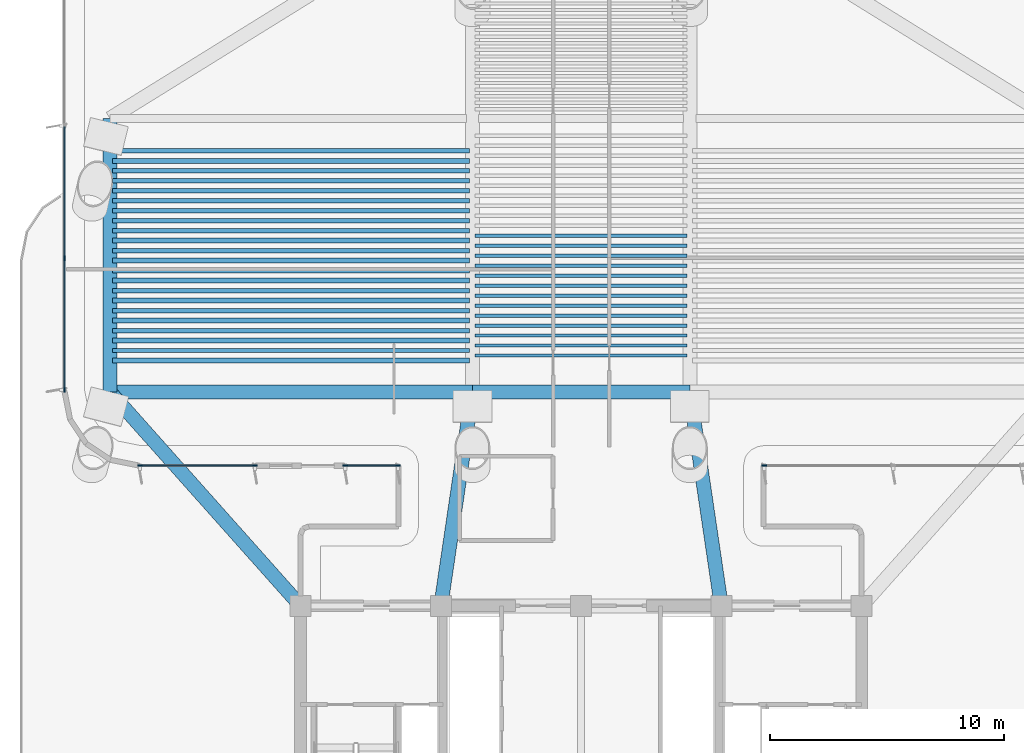
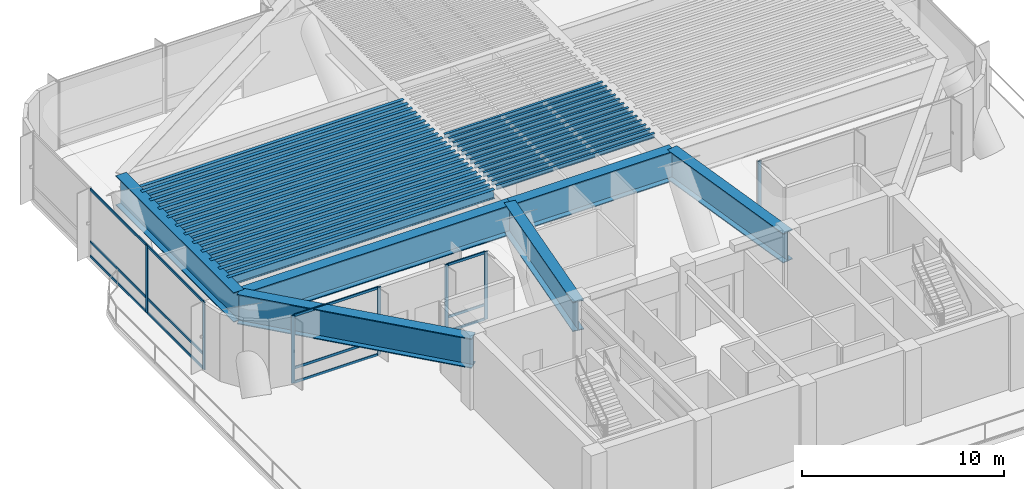
# One storey, part 2 of 14: 41 beams, 19 members, 4 elements without a shape of their own.
"""IFC4 building model written with IfcOpenShell, lengths in metres."""

from ifc_helpers import new_model, si_unit, direction, frame, origin, origin_2d, place, context, subcontext, project, spatial, rectangle, i_section, extrude, source, transform, mapped, material, layer, layer_set, material_profile, profile_set, type_object, element, aggregate, save


model = new_model("IFC4")

# Units and contexts
model_context = context("Model", 3, precision=1e-05, world=origin(), true_north=direction((0.0, 1.0)))
body_context = subcontext(model_context, "Body", "Model", "MODEL_VIEW")
ifc_project = project(units=[si_unit("LENGTHUNIT", "METRE"), si_unit("AREAUNIT", "SQUARE_METRE"), si_unit("VOLUMEUNIT", "CUBIC_METRE"), si_unit("PLANEANGLEUNIT", "RADIAN"), si_unit("MASSUNIT", "GRAM", prefix="KILO")], contexts=[model_context])

# Site, building, storey
site_placement = place(None, origin())
site = spatial("IfcSite", under=ifc_project, at=site_placement, CompositionType="ELEMENT")
building_placement = place(site_placement, origin())
building = spatial("IfcBuilding", under=site, at=building_placement, Name="Brelvock Crest Care Tower", CompositionType="ELEMENT")
storey_placement = place(building_placement, frame((0.0, 0.0, 85.320068359375)))
storey = spatial("IfcBuildingStorey", under=building, at=storey_placement, Name="L21", CompositionType="ELEMENT", Elevation=85.320068359375)

# Beams
ifc_material_1 = material(Name="Steel Grade 350", Category="steel")
ifc_material_profile_1 = material_profile(ifc_material_1, i_section(OverallWidth=0.60009765625, OverallDepth=1.800048828125, WebThickness=0.028076171875, FlangeThickness=0.052001953125, at=origin_2d()), Name="1800TG740")
ifc_profile_set_1 = profile_set([ifc_material_profile_1], Name="Steel Grade 350")
beam_type_1 = type_object("IfcBeamType", Name="BM-TG1", PredefinedType="USERDEFINED", material=ifc_profile_set_1)
shared_shape_1 = source(origin(), body_context, "Body", "SweptSolid", [
    extrude(i_section(OverallWidth=0.60009765625, OverallDepth=1.800048828125, WebThickness=0.028076171875, FlangeThickness=0.052001953125, at=origin_2d()), origin(), (0.0, 0.0, 1.0), 9.2998046875),
])
beam_1_placement = place(storey_placement, frame((31.35009765625, 27.14990234375, 3.19189453125), z_axis=(1.0, 0.0, 0.0), x_axis=(0.0, 1.0, 0.0)))
element("IfcBeam", 1, at=beam_1_placement, inside=storey, type_object=beam_type_1, Name="BM-TWR-L21-05", ObjectType="GIRDER", PredefinedType="USERDEFINED", context=body_context, shape_type="MappedRepresentation", body=[
    mapped(shared_shape_1, transform((0.0, 0.0, 0.0), x_axis=(1.0, 0.0, 0.0), y_axis=(0.0, 1.0, 0.0), z_axis=(0.0, 0.0, 1.0), scale=1.0)),
])
ifc_material_profile_2 = material_profile(ifc_material_1, i_section(OverallWidth=0.14599609375, OverallDepth=0.256103515625, WebThickness=0.00634765625, FlangeThickness=0.010986328125, FilletRadius=0.0087890625, at=origin_2d()), Name="250UB37.3")
ifc_profile_set_2 = profile_set([ifc_material_profile_2], Name="Steel Grade 350")
beam_type_2 = type_object("IfcBeamType", Name="BM-J3", PredefinedType="JOIST", material=ifc_profile_set_2)
shared_shape_2 = source(origin(), body_context, "Body", "SweptSolid", [
    extrude(i_section(OverallWidth=0.14599609375, OverallDepth=0.256103515625, WebThickness=0.00634765625, FlangeThickness=0.010986328125, FilletRadius=0.0087890625, at=origin_2d()), origin(), (0.0, 0.0, 1.0), 9.06982421875),
])
for number, where, z_axis, x_axis, name in (
    (2, (31.465087890625, 28.708984375, 3.9638671875), (1.0, 0.0, 0.0), (0.0, 1.0, 0.0), "BM-JH-L21-3"),
    (3, (31.465087890625, 29.135986328125, 3.9638671875), (1.0, 0.0, 0.0), (0.0, 1.0, 0.0), "BM-JH-L21-4"),
    (4, (31.465087890625, 29.56298828125, 3.9638671875), (1.0, 0.0, 0.0), (0.0, 1.0, 0.0), "BM-JH-L21-5"),
    (5, (31.465087890625, 29.990234375, 3.9638671875), (1.0, 0.0, 0.0), (0.0, 1.0, 0.0), "BM-JH-L21-6"),
    (6, (31.465087890625, 30.417236328125, 3.9638671875), (1.0, 0.0, 0.0), (0.0, 1.0, 0.0), "BM-JH-L21-7"),
    (7, (31.465087890625, 30.84423828125, 3.9638671875), (1.0, 0.0, 0.0), (0.0, 1.0, 0.0), "BM-JH-L21-8"),
    (8, (31.465087890625, 31.271240234375, 3.9638671875), (1.0, 0.0, 0.0), (0.0, 1.0, 0.0), "BM-JH-L21-9"),
    (9, (31.465087890625, 31.698486328125, 3.9638671875), (1.0, 0.0, 0.0), (0.0, 1.0, 0.0), "BM-JH-L21-10"),
    (10, (31.465087890625, 32.12548828125, 3.9638671875), (1.0, 0.0, 0.0), (0.0, 1.0, 0.0), "BM-JH-L21-11"),
    (11, (31.465087890625, 32.552490234375, 3.9638671875), (1.0, 0.0, 0.0), (0.0, 1.0, 0.0), "BM-JH-L21-12"),
    (12, (31.465087890625, 32.9794921875, 3.9638671875), (1.0, 0.0, 0.0), (0.0, 1.0, 0.0), "BM-JH-L21-13"),
    (13, (31.465087890625, 33.406494140625, 3.9638671875), (1.0, 0.0, 0.0), (0.0, 1.0, 0.0), "BM-JH-L21-14"),
    (14, (31.465087890625, 33.83349609375, 3.9638671875), (1.0, 0.0, 0.0), (0.0, 1.0, 0.0), "BM-JH-L21-15"),
):
    element("IfcBeam", number, at=place(storey_placement, frame(where, z_axis=z_axis, x_axis=x_axis)), inside=storey, type_object=beam_type_2, Name=name, PredefinedType="JOIST", context=body_context, shape_type="MappedRepresentation", body=[
        mapped(shared_shape_2, transform((0.0, 0.0, 0.0), x_axis=(1.0, 0.0, 0.0), y_axis=(0.0, 1.0, 0.0), z_axis=(0.0, 0.0, 1.0), scale=1.0)),
    ])
shared_shape_3 = source(origin(), body_context, "Body", "SweptSolid", [
    extrude(i_section(OverallWidth=0.60009765625, OverallDepth=1.800048828125, WebThickness=0.028076171875, FlangeThickness=0.052001953125, at=origin_2d()), origin(), (0.0, 0.0, 1.0), 11.7001953125),
])
beam_2_placement = place(storey_placement, frame((15.85009765625, 27.14990234375, 3.19189453125), z_axis=(0.0, 1.0, 0.0), x_axis=(-1.0, 0.0, 0.0)))
element("IfcBeam", 15, at=beam_2_placement, inside=storey, type_object=beam_type_1, Name="BM-TWR-L21-01", ObjectType="GIRDER", PredefinedType="USERDEFINED", context=body_context, shape_type="MappedRepresentation", body=[
    mapped(shared_shape_3, transform((0.0, 0.0, 0.0), x_axis=(1.0, 0.0, 0.0), y_axis=(0.0, 1.0, 0.0), z_axis=(0.0, 0.0, 1.0), scale=1.0)),
])
shared_shape_4 = source(origin(), body_context, "Body", "SweptSolid", [
    extrude(i_section(OverallWidth=0.60009765625, OverallDepth=1.800048828125, WebThickness=0.028076171875, FlangeThickness=0.052001953125, at=origin_2d()), origin(), (0.0, 0.0, 1.0), 15.5),
])
beam_3_placement = place(storey_placement, frame((15.85009765625, 27.14990234375, 3.19189453125), z_axis=(1.0, 0.0, 0.0), x_axis=(0.0, 1.0, 0.0)))
element("IfcBeam", 16, at=beam_3_placement, inside=storey, type_object=beam_type_1, Name="BM-TWR-L21-03", ObjectType="GIRDER", PredefinedType="USERDEFINED", context=body_context, shape_type="MappedRepresentation", body=[
    mapped(shared_shape_4, transform((0.0, 0.0, 0.0), x_axis=(1.0, 0.0, 0.0), y_axis=(0.0, 1.0, 0.0), z_axis=(0.0, 0.0, 1.0), scale=1.0)),
])
shared_shape_5 = source(origin(), body_context, "Body", "SweptSolid", [
    extrude(i_section(OverallWidth=0.60009765625, OverallDepth=1.800048828125, WebThickness=0.028076171875, FlangeThickness=0.052001953125, at=origin_2d()), origin(), (0.0, 0.0, 1.0), 9.2490234375),
])
for number, where, z_axis, x_axis, name in (
    (17, (30.0, 18.0, 3.19189453125), (0.145972731602, 0.989288613918, 0.0), (-0.989288613918, 0.145972731602, 0.0), "BM-THRW-L21"),
    (18, (42.0, 18.0, 3.19189453125), (-0.145972731602, 0.989288613918, 0.0), (-0.989288613918, -0.145972731602, 0.0), "BM-THRE-L21"),
):
    element("IfcBeam", number, at=place(storey_placement, frame(where, z_axis=z_axis, x_axis=x_axis)), inside=storey, type_object=beam_type_1, Name=name, ObjectType="GIRDER", PredefinedType="USERDEFINED", context=body_context, shape_type="MappedRepresentation", body=[
        mapped(shared_shape_5, transform((0.0, 0.0, 0.0), x_axis=(1.0, 0.0, 0.0), y_axis=(0.0, 1.0, 0.0), z_axis=(0.0, 0.0, 1.0), scale=1.0)),
    ])
shared_shape_6 = source(origin(), body_context, "Body", "SweptSolid", [
    extrude(i_section(OverallWidth=0.60009765625, OverallDepth=1.800048828125, WebThickness=0.028076171875, FlangeThickness=0.052001953125, at=origin_2d()), origin(), (0.0, 0.0, 1.0), 12.253173828125),
])
beam_4_placement = place(storey_placement, frame((24.0, 18.0, 3.19189453125), z_axis=(-0.665122829149, 0.746733970129, 0.0), x_axis=(-0.746733970129, -0.665122829149, 0.0)))
element("IfcBeam", 19, at=beam_4_placement, inside=storey, type_object=beam_type_1, Name="BM-THRO-W-L21", ObjectType="GIRDER", PredefinedType="USERDEFINED", context=body_context, shape_type="MappedRepresentation", body=[
    mapped(shared_shape_6, transform((0.0, 0.0, 0.0), x_axis=(1.0, 0.0, 0.0), y_axis=(0.0, 1.0, 0.0), z_axis=(0.0, 0.0, 1.0), scale=1.0)),
])
ifc_material_profile_3 = material_profile(ifc_material_1, i_section(OverallWidth=0.208984375, OverallDepth=0.532958984375, WebThickness=0.01025390625, FlangeThickness=0.015625, FilletRadius=0.013916015625, at=origin_2d()), Name="530UB92.4")
ifc_profile_set_3 = profile_set([ifc_material_profile_3], Name="Steel Grade 350")
beam_type_3 = type_object("IfcBeamType", Name="BM-G2", PredefinedType="BEAM", material=ifc_profile_set_3)
shared_shape_7 = source(origin(), body_context, "Body", "SweptSolid", [
    extrude(i_section(OverallWidth=0.208984375, OverallDepth=0.532958984375, WebThickness=0.01025390625, FlangeThickness=0.015625, FilletRadius=0.013916015625, at=origin_2d()), origin(), (0.0, 0.0, 1.0), 15.27001953125),
])
for number, where, z_axis, x_axis, name in (
    (20, (15.965087890625, 28.49560546875, 3.825439453125), (1.0, 0.0, 0.0), (0.0, 1.0, 0.0), "BM-JW-L21-3"),
    (21, (15.965087890625, 29.349609375, 3.825439453125), (1.0, 0.0, 0.0), (0.0, 1.0, 0.0), "BM-JW-L21-5"),
    (22, (15.965087890625, 30.20361328125, 3.825439453125), (1.0, 0.0, 0.0), (0.0, 1.0, 0.0), "BM-JW-L21-7"),
    (23, (15.965087890625, 31.057861328125, 3.825439453125), (1.0, 0.0, 0.0), (0.0, 1.0, 0.0), "BM-JW-L21-9"),
    (24, (15.965087890625, 31.911865234375, 3.825439453125), (1.0, 0.0, 0.0), (0.0, 1.0, 0.0), "BM-JW-L21-11"),
    (25, (15.965087890625, 32.76611328125, 3.825439453125), (1.0, 0.0, 0.0), (0.0, 1.0, 0.0), "BM-JW-L21-13"),
    (26, (15.965087890625, 33.6201171875, 3.825439453125), (1.0, 0.0, 0.0), (0.0, 1.0, 0.0), "BM-JW-L21-15"),
    (27, (15.965087890625, 34.47412109375, 3.825439453125), (1.0, 0.0, 0.0), (0.0, 1.0, 0.0), "BM-JW-L21-17"),
    (28, (15.965087890625, 35.328369140625, 3.825439453125), (1.0, 0.0, 0.0), (0.0, 1.0, 0.0), "BM-JW-L21-19"),
    (29, (15.965087890625, 36.182373046875, 3.825439453125), (1.0, 0.0, 0.0), (0.0, 1.0, 0.0), "BM-JW-L21-21"),
    (30, (15.965087890625, 37.03662109375, 3.825439453125), (1.0, 0.0, 0.0), (0.0, 1.0, 0.0), "BM-JW-L21-23"),
):
    element("IfcBeam", number, at=place(storey_placement, frame(where, z_axis=z_axis, x_axis=x_axis)), inside=storey, type_object=beam_type_3, Name=name, PredefinedType="BEAM", context=body_context, shape_type="MappedRepresentation", body=[
        mapped(shared_shape_7, transform((0.0, 0.0, 0.0), x_axis=(1.0, 0.0, 0.0), y_axis=(0.0, 1.0, 0.0), z_axis=(0.0, 0.0, 1.0), scale=1.0)),
    ])
ifc_material_profile_4 = material_profile(ifc_material_1, i_section(OverallWidth=0.19091796875, OverallDepth=0.4599609375, WebThickness=0.010009765625, FlangeThickness=0.01611328125, FilletRadius=0.011474609375, at=origin_2d()), Name="460UB82.1")
ifc_profile_set_4 = profile_set([ifc_material_profile_4], Name="Steel Grade 350")
beam_type_4 = type_object("IfcBeamType", Name="BM-G3", PredefinedType="BEAM", material=ifc_profile_set_4)
shared_shape_8 = source(origin(), body_context, "Body", "SweptSolid", [
    extrude(i_section(OverallWidth=0.19091796875, OverallDepth=0.4599609375, WebThickness=0.010009765625, FlangeThickness=0.01611328125, FilletRadius=0.011474609375, at=origin_2d()), origin(), (0.0, 0.0, 1.0), 15.27001953125),
])
for number, where, z_axis, x_axis, name in (
    (31, (15.965087890625, 28.922607421875, 3.86181640625), (1.0, 0.0, 0.0), (0.0, 1.0, 0.0), "BM-JW-L21-4"),
    (32, (15.965087890625, 29.776611328125, 3.86181640625), (1.0, 0.0, 0.0), (0.0, 1.0, 0.0), "BM-JW-L21-6"),
    (33, (15.965087890625, 30.630615234375, 3.86181640625), (1.0, 0.0, 0.0), (0.0, 1.0, 0.0), "BM-JW-L21-8"),
    (34, (15.965087890625, 31.48486328125, 3.86181640625), (1.0, 0.0, 0.0), (0.0, 1.0, 0.0), "BM-JW-L21-10"),
    (35, (15.965087890625, 32.3388671875, 3.86181640625), (1.0, 0.0, 0.0), (0.0, 1.0, 0.0), "BM-JW-L21-12"),
    (36, (15.965087890625, 33.193115234375, 3.86181640625), (1.0, 0.0, 0.0), (0.0, 1.0, 0.0), "BM-JW-L21-14"),
    (37, (15.965087890625, 34.047119140625, 3.86181640625), (1.0, 0.0, 0.0), (0.0, 1.0, 0.0), "BM-JW-L21-16"),
    (38, (15.965087890625, 34.901123046875, 3.86181640625), (1.0, 0.0, 0.0), (0.0, 1.0, 0.0), "BM-JW-L21-18"),
    (39, (15.965087890625, 35.75537109375, 3.86181640625), (1.0, 0.0, 0.0), (0.0, 1.0, 0.0), "BM-JW-L21-20"),
    (40, (15.965087890625, 36.609619140625, 3.86181640625), (1.0, 0.0, 0.0), (0.0, 1.0, 0.0), "BM-JW-L21-22"),
    (41, (15.965087890625, 37.46337890625, 3.86181640625), (1.0, 0.0, 0.0), (0.0, 1.0, 0.0), "BM-JW-L21-24"),
):
    element("IfcBeam", number, at=place(storey_placement, frame(where, z_axis=z_axis, x_axis=x_axis)), inside=storey, type_object=beam_type_4, Name=name, PredefinedType="BEAM", context=body_context, shape_type="MappedRepresentation", body=[
        mapped(shared_shape_8, transform((0.0, 0.0, 0.0), x_axis=(1.0, 0.0, 0.0), y_axis=(0.0, 1.0, 0.0), z_axis=(0.0, 0.0, 1.0), scale=1.0)),
    ])

# Curtain wall, members
ifc_material_2 = material(Name="Dark Glass Double Glazed Low-E", Category="glass")
ifc_layer = layer(ifc_material_2, 0.2548828125, Name="CWS-6")
ifc_layer_set = layer_set([ifc_layer], Name="Dark Glass Double Glazed Low-E")
curtain_wall_type = type_object("IfcCurtainWallType", Name="CWS-6", PredefinedType="NOTDEFINED", material=ifc_layer_set)
curtain_wall_1_placement = place(storey_placement, origin())
curtain_wall_1 = element("IfcCurtainWall", 42, at=curtain_wall_1_placement, inside=storey, type_object=curtain_wall_type, Name="L21 Curtain Wall E12A", PredefinedType="NOTDEFINED")
ifc_material_3 = material(Name="Aluminium 6063-T6", Category="aluminium")
ifc_material_profile_5 = material_profile(ifc_material_3, rectangle(XDim=0.06494140625, YDim=0.199951171875, at=origin_2d()), Name="ALU65x200")
ifc_profile_set_5 = profile_set([ifc_material_profile_5], Name="Aluminium 6063-T6")
member_type_1 = type_object("IfcMemberType", Name="CWM-1", PredefinedType="MULLION", material=ifc_profile_set_5)
shared_shape_9 = source(origin(), body_context, "Body", "SweptSolid", [
    extrude(rectangle(XDim=0.06494140625, YDim=0.199951171875, at=origin_2d()), origin(), (0.0, 0.0, 1.0), 4.092041015625),
])
member_1_placement = place(storey_placement, frame((28.16748046875, 24.0, 0.0), z_axis=(0.0, 0.0, 1.0), x_axis=(0.0, -1.0, 0.0)))
member_1 = element("IfcMember", 43, at=member_1_placement, type_object=member_type_1, Name="CW-6 mullion 1", PredefinedType="MULLION", context=body_context, shape_type="MappedRepresentation", body=[
    mapped(shared_shape_9, transform((0.0, 0.0, 0.0), x_axis=(1.0, 0.0, 0.0), y_axis=(0.0, 1.0, 0.0), z_axis=(0.0, 0.0, 1.0), scale=1.0)),
])
member_2_placement = place(storey_placement, frame((25.91455078125, 24.0, 0.0), z_axis=(0.0, 0.0, 1.0), x_axis=(0.0, -1.0, 0.0)))
member_2 = element("IfcMember", 44, at=member_2_placement, type_object=member_type_1, Name="CW-6 mullion 2", PredefinedType="MULLION", context=body_context, shape_type="MappedRepresentation", body=[
    mapped(shared_shape_9, transform((0.0, 0.0, 0.0), x_axis=(1.0, 0.0, 0.0), y_axis=(0.0, 1.0, 0.0), z_axis=(0.0, 0.0, 1.0), scale=1.0)),
])

curtain_wall_2_placement = place(storey_placement, origin())
curtain_wall_2 = element("IfcCurtainWall", 45, at=curtain_wall_2_placement, inside=storey, type_object=curtain_wall_type, Name="L21 Curtain Wall E12B", PredefinedType="NOTDEFINED")
member_3_placement = place(storey_placement, frame((22.049560546875, 24.0, 0.0), z_axis=(0.0, 0.0, 1.0), x_axis=(0.0, -1.0, 0.0)))
member_3 = element("IfcMember", 46, at=member_3_placement, type_object=member_type_1, Name="CW-6 mullion 1", PredefinedType="MULLION", context=body_context, shape_type="MappedRepresentation", body=[
    mapped(shared_shape_9, transform((0.0, 0.0, 0.0), x_axis=(1.0, 0.0, 0.0), y_axis=(0.0, 1.0, 0.0), z_axis=(0.0, 0.0, 1.0), scale=1.0)),
])
member_4_placement = place(storey_placement, frame((17.132568359375, 24.0, 0.0), z_axis=(0.0, 0.0, 1.0), x_axis=(0.0, -1.0, 0.0)))
member_4 = element("IfcMember", 47, at=member_4_placement, type_object=member_type_1, Name="CW-6 mullion 2", PredefinedType="MULLION", context=body_context, shape_type="MappedRepresentation", body=[
    mapped(shared_shape_9, transform((0.0, 0.0, 0.0), x_axis=(1.0, 0.0, 0.0), y_axis=(0.0, 1.0, 0.0), z_axis=(0.0, 0.0, 1.0), scale=1.0)),
])

curtain_wall_3_placement = place(storey_placement, origin())
curtain_wall_3 = element("IfcCurtainWall", 48, at=curtain_wall_3_placement, inside=storey, type_object=curtain_wall_type, Name="L21 Curtain Wall E17", PredefinedType="NOTDEFINED")
member_5_placement = place(storey_placement, frame((13.89990234375, 27.232421875, 0.0), z_axis=(0.0, 0.0, 1.0), x_axis=(-1.0, 0.0, 0.0)))
member_5 = element("IfcMember", 49, at=member_5_placement, type_object=member_type_1, Name="CW-6 mullion 1", PredefinedType="MULLION", context=body_context, shape_type="MappedRepresentation", body=[
    mapped(shared_shape_9, transform((0.0, 0.0, 0.0), x_axis=(1.0, 0.0, 0.0), y_axis=(0.0, 1.0, 0.0), z_axis=(0.0, 0.0, 1.0), scale=1.0)),
])
member_6_placement = place(storey_placement, frame((13.89990234375, 32.86669921875, 0.0), z_axis=(0.0, 0.0, 1.0), x_axis=(-1.0, 0.0, 0.0)))
member_6 = element("IfcMember", 50, at=member_6_placement, type_object=member_type_1, Name="CW-6 mullion 2", PredefinedType="MULLION", context=body_context, shape_type="MappedRepresentation", body=[
    mapped(shared_shape_9, transform((0.0, 0.0, 0.0), x_axis=(1.0, 0.0, 0.0), y_axis=(0.0, 1.0, 0.0), z_axis=(0.0, 0.0, 1.0), scale=1.0)),
])

# Curtain wall, member
curtain_wall_4_placement = place(storey_placement, origin())
curtain_wall_4 = element("IfcCurtainWall", 51, at=curtain_wall_4_placement, inside=storey, type_object=curtain_wall_type, Name="L21 Curtain Wall E44", PredefinedType="NOTDEFINED")
member_7_placement = place(storey_placement, frame((43.83251953125, 24.0, 0.0), z_axis=(0.0, 0.0, 1.0), x_axis=(0.0, -1.0, 0.0)))
member_7 = element("IfcMember", 52, at=member_7_placement, type_object=member_type_1, Name="CW-6 mullion 3", PredefinedType="MULLION", context=body_context, shape_type="MappedRepresentation", body=[
    mapped(shared_shape_9, transform((0.0, 0.0, 0.0), x_axis=(1.0, 0.0, 0.0), y_axis=(0.0, 1.0, 0.0), z_axis=(0.0, 0.0, 1.0), scale=1.0)),
])
aggregate(curtain_wall_4, [member_7])

# Member
ifc_material_profile_6 = material_profile(ifc_material_3, rectangle(XDim=0.06494140625, YDim=0.14990234375, at=origin_2d()), Name="ALU65x150")
ifc_profile_set_6 = profile_set([ifc_material_profile_6], Name="Aluminium 6063-T6")
member_type_2 = type_object("IfcMemberType", Name="CWT-1", PredefinedType="USERDEFINED", material=ifc_profile_set_6)
shared_shape_10 = source(origin(), body_context, "Body", "SweptSolid", [
    extrude(rectangle(XDim=0.06494140625, YDim=0.14990234375, at=origin_2d()), origin(), (0.0, 0.0, 1.0), 2.18798828125),
])
member_8_placement = place(storey_placement, frame((28.135009765625, 24.0, 0.032470703125), z_axis=(-1.0, 0.0, 0.0), x_axis=(0.0, -1.0, 0.0)))
member_8 = element("IfcMember", 53, at=member_8_placement, type_object=member_type_2, Name="CW-6 transom 1.1", ObjectType="TRANSOM", PredefinedType="USERDEFINED", context=body_context, shape_type="MappedRepresentation", body=[
    mapped(shared_shape_10, transform((0.0, 0.0, 0.0), x_axis=(1.0, 0.0, 0.0), y_axis=(0.0, 1.0, 0.0), z_axis=(0.0, 0.0, 1.0), scale=1.0)),
])

member_9_placement = place(storey_placement, frame((28.135009765625, 24.0, 0.89990234375), z_axis=(-1.0, 0.0, 0.0), x_axis=(0.0, -1.0, 0.0)))
member_9 = element("IfcMember", 54, at=member_9_placement, type_object=member_type_2, Name="CW-6 transom 1.2", ObjectType="TRANSOM", PredefinedType="USERDEFINED", context=body_context, shape_type="MappedRepresentation", body=[
    mapped(shared_shape_10, transform((0.0, 0.0, 0.0), x_axis=(1.0, 0.0, 0.0), y_axis=(0.0, 1.0, 0.0), z_axis=(0.0, 0.0, 1.0), scale=1.0)),
])

member_10_placement = place(storey_placement, frame((28.135009765625, 24.0, 4.059326171875), z_axis=(-1.0, 0.0, 0.0), x_axis=(0.0, -1.0, 0.0)))
member_10 = element("IfcMember", 55, at=member_10_placement, type_object=member_type_2, Name="CW-6 transom 1.3", ObjectType="TRANSOM", PredefinedType="USERDEFINED", context=body_context, shape_type="MappedRepresentation", body=[
    mapped(shared_shape_10, transform((0.0, 0.0, 0.0), x_axis=(1.0, 0.0, 0.0), y_axis=(0.0, 1.0, 0.0), z_axis=(0.0, 0.0, 1.0), scale=1.0)),
])

aggregate(curtain_wall_1, [member_1, member_2, member_8, member_9, member_10])

shared_shape_11 = source(origin(), body_context, "Body", "SweptSolid", [
    extrude(rectangle(XDim=0.06494140625, YDim=0.14990234375, at=origin_2d()), origin(), (0.0, 0.0, 1.0), 4.85205078125),
])
member_11_placement = place(storey_placement, frame((22.01708984375, 24.0, 0.032470703125), z_axis=(-1.0, 0.0, 0.0), x_axis=(0.0, -1.0, 0.0)))
member_11 = element("IfcMember", 56, at=member_11_placement, type_object=member_type_2, Name="CW-6 transom 1.1", ObjectType="TRANSOM", PredefinedType="USERDEFINED", context=body_context, shape_type="MappedRepresentation", body=[
    mapped(shared_shape_11, transform((0.0, 0.0, 0.0), x_axis=(1.0, 0.0, 0.0), y_axis=(0.0, 1.0, 0.0), z_axis=(0.0, 0.0, 1.0), scale=1.0)),
])

member_12_placement = place(storey_placement, frame((22.01708984375, 24.0, 0.89990234375), z_axis=(-1.0, 0.0, 0.0), x_axis=(0.0, -1.0, 0.0)))
member_12 = element("IfcMember", 57, at=member_12_placement, type_object=member_type_2, Name="CW-6 transom 1.2", ObjectType="TRANSOM", PredefinedType="USERDEFINED", context=body_context, shape_type="MappedRepresentation", body=[
    mapped(shared_shape_11, transform((0.0, 0.0, 0.0), x_axis=(1.0, 0.0, 0.0), y_axis=(0.0, 1.0, 0.0), z_axis=(0.0, 0.0, 1.0), scale=1.0)),
])

member_13_placement = place(storey_placement, frame((22.01708984375, 24.0, 4.059326171875), z_axis=(-1.0, 0.0, 0.0), x_axis=(0.0, -1.0, 0.0)))
member_13 = element("IfcMember", 58, at=member_13_placement, type_object=member_type_2, Name="CW-6 transom 1.3", ObjectType="TRANSOM", PredefinedType="USERDEFINED", context=body_context, shape_type="MappedRepresentation", body=[
    mapped(shared_shape_11, transform((0.0, 0.0, 0.0), x_axis=(1.0, 0.0, 0.0), y_axis=(0.0, 1.0, 0.0), z_axis=(0.0, 0.0, 1.0), scale=1.0)),
])

aggregate(curtain_wall_2, [member_3, member_4, member_11, member_12, member_13])

shared_shape_12 = source(origin(), body_context, "Body", "SweptSolid", [
    extrude(rectangle(XDim=0.06494140625, YDim=0.14990234375, at=origin_2d()), origin(), (0.0, 0.0, 1.0), 5.5693359375),
])
member_14_placement = place(storey_placement, frame((13.89990234375, 27.264892578125, 0.032470703125), z_axis=(0.0, 1.0, 0.0), x_axis=(-1.0, 0.0, 0.0)))
member_14 = element("IfcMember", 59, at=member_14_placement, type_object=member_type_2, Name="CW-6 transom 1.1", ObjectType="TRANSOM", PredefinedType="USERDEFINED", context=body_context, shape_type="MappedRepresentation", body=[
    mapped(shared_shape_12, transform((0.0, 0.0, 0.0), x_axis=(1.0, 0.0, 0.0), y_axis=(0.0, 1.0, 0.0), z_axis=(0.0, 0.0, 1.0), scale=1.0)),
])

member_15_placement = place(storey_placement, frame((13.89990234375, 27.264892578125, 0.89990234375), z_axis=(0.0, 1.0, 0.0), x_axis=(-1.0, 0.0, 0.0)))
member_15 = element("IfcMember", 60, at=member_15_placement, type_object=member_type_2, Name="CW-6 transom 1.2", ObjectType="TRANSOM", PredefinedType="USERDEFINED", context=body_context, shape_type="MappedRepresentation", body=[
    mapped(shared_shape_12, transform((0.0, 0.0, 0.0), x_axis=(1.0, 0.0, 0.0), y_axis=(0.0, 1.0, 0.0), z_axis=(0.0, 0.0, 1.0), scale=1.0)),
])

member_16_placement = place(storey_placement, frame((13.89990234375, 27.264892578125, 4.059326171875), z_axis=(0.0, 1.0, 0.0), x_axis=(-1.0, 0.0, 0.0)))
member_16 = element("IfcMember", 61, at=member_16_placement, type_object=member_type_2, Name="CW-6 transom 1.3", ObjectType="TRANSOM", PredefinedType="USERDEFINED", context=body_context, shape_type="MappedRepresentation", body=[
    mapped(shared_shape_12, transform((0.0, 0.0, 0.0), x_axis=(1.0, 0.0, 0.0), y_axis=(0.0, 1.0, 0.0), z_axis=(0.0, 0.0, 1.0), scale=1.0)),
])

shared_shape_13 = source(origin(), body_context, "Body", "SweptSolid", [
    extrude(rectangle(XDim=0.06494140625, YDim=0.14990234375, at=origin_2d()), origin(), (0.0, 0.0, 1.0), 5.6015625),
])
member_17_placement = place(storey_placement, frame((13.89990234375, 32.899169921875, 0.032470703125), z_axis=(0.0, 1.0, 0.0), x_axis=(-1.0, 0.0, 0.0)))
member_17 = element("IfcMember", 62, at=member_17_placement, type_object=member_type_2, Name="CW-6 transom 2.1", ObjectType="TRANSOM", PredefinedType="USERDEFINED", context=body_context, shape_type="MappedRepresentation", body=[
    mapped(shared_shape_13, transform((0.0, 0.0, 0.0), x_axis=(1.0, 0.0, 0.0), y_axis=(0.0, 1.0, 0.0), z_axis=(0.0, 0.0, 1.0), scale=1.0)),
])

member_18_placement = place(storey_placement, frame((13.89990234375, 32.899169921875, 0.89990234375), z_axis=(0.0, 1.0, 0.0), x_axis=(-1.0, 0.0, 0.0)))
member_18 = element("IfcMember", 63, at=member_18_placement, type_object=member_type_2, Name="CW-6 transom 2.2", ObjectType="TRANSOM", PredefinedType="USERDEFINED", context=body_context, shape_type="MappedRepresentation", body=[
    mapped(shared_shape_13, transform((0.0, 0.0, 0.0), x_axis=(1.0, 0.0, 0.0), y_axis=(0.0, 1.0, 0.0), z_axis=(0.0, 0.0, 1.0), scale=1.0)),
])

member_19_placement = place(storey_placement, frame((13.89990234375, 32.899169921875, 4.059326171875), z_axis=(0.0, 1.0, 0.0), x_axis=(-1.0, 0.0, 0.0)))
member_19 = element("IfcMember", 64, at=member_19_placement, type_object=member_type_2, Name="CW-6 transom 2.3", ObjectType="TRANSOM", PredefinedType="USERDEFINED", context=body_context, shape_type="MappedRepresentation", body=[
    mapped(shared_shape_13, transform((0.0, 0.0, 0.0), x_axis=(1.0, 0.0, 0.0), y_axis=(0.0, 1.0, 0.0), z_axis=(0.0, 0.0, 1.0), scale=1.0)),
])

aggregate(curtain_wall_3, [member_5, member_6, member_14, member_15, member_16, member_17, member_18, member_19])

save(model, "model.ifc")
